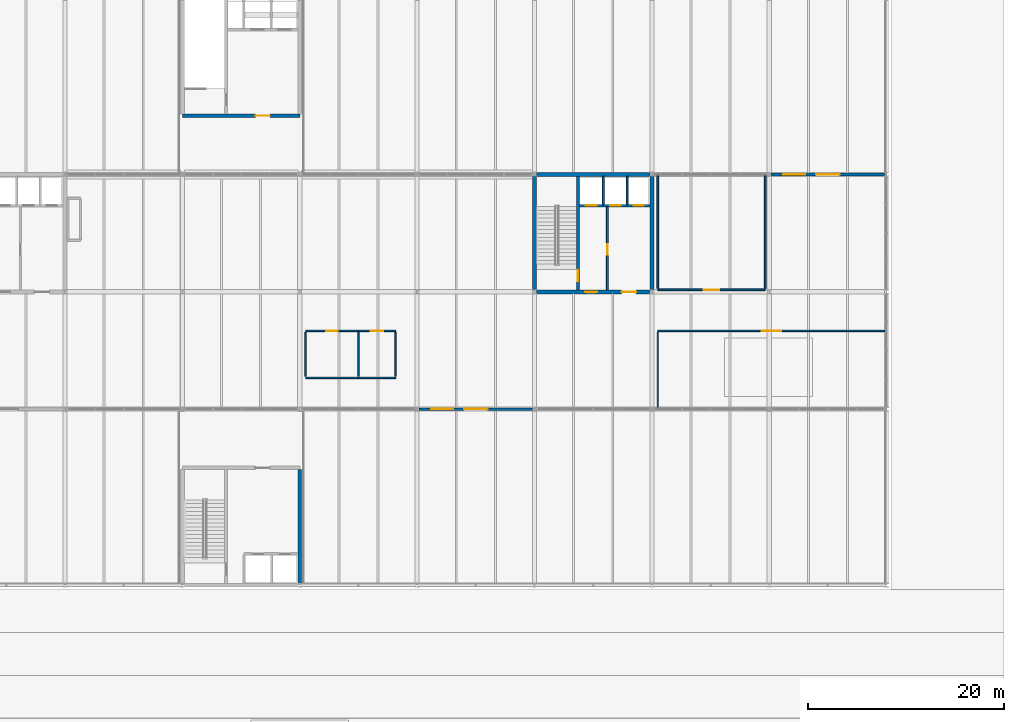
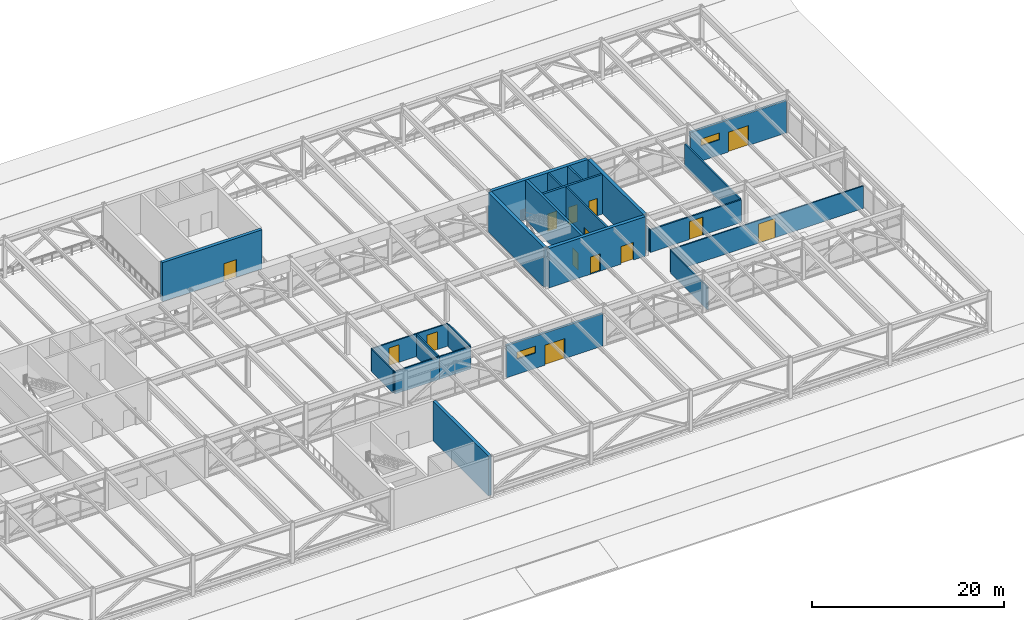
# One storey, part 36 of 42: 25 walls, 14 doors, 2 windows, 16 openings.
"""IFC4 building model written with IfcOpenShell, lengths in metres."""

from ifc_helpers import new_model, si_unit, direction, frame, frame_2d, origin, place, context, subcontext, project, spatial, rectangle, extrude, material, layer, layer_set, type_object, element, fill, save


model = new_model("IFC4")

# Units and contexts
model_context = context("Model", 3, precision=1e-05, world=origin(), true_north=direction((0.0, 1.0)))
body_context = subcontext(model_context, "Body", "Model", "MODEL_VIEW")
ifc_project = project(units=[si_unit("LENGTHUNIT", "METRE"), si_unit("AREAUNIT", "SQUARE_METRE"), si_unit("VOLUMEUNIT", "CUBIC_METRE"), si_unit("PLANEANGLEUNIT", "RADIAN"), si_unit("MASSUNIT", "GRAM", prefix="KILO")], contexts=[model_context])

# Site, building, storey
site_placement = place(None, origin())
site = spatial("IfcSite", under=ifc_project, at=site_placement, CompositionType="ELEMENT")
building_placement = place(site_placement, origin())
building = spatial("IfcBuilding", under=site, at=building_placement, Name="Girod Span Mobility Hub", CompositionType="ELEMENT")
storey_placement = place(building_placement, frame((0.0, 0.0, 32.39990234375)))
storey = spatial("IfcBuildingStorey", under=building, at=storey_placement, Name="L08", CompositionType="ELEMENT", Elevation=32.39990234375)

# Wall
ifc_material_1 = material(Name="Concrete C40/50", Category="concrete")
ifc_layer_1 = layer(ifc_material_1, 0.3798828125)
ifc_layer_set_1 = layer_set([ifc_layer_1], Name="Concrete C40/50")
wall_type_1 = type_object("IfcWallType", Name="W-CW-380", PredefinedType="SHEAR", material=ifc_layer_set_1)
wall_1_placement = place(storey_placement, frame((84.0, 27.193603515625, 0.0), z_axis=(0.0, 0.0, 1.0), x_axis=(0.0, 1.0, 0.0)))
element("IfcWall", 1, at=wall_1_placement, inside=storey, type_object=wall_type_1, Name="Core C3 Shear Wall E L08", PredefinedType="SHEAR", context=body_context, shape_type="SweptSolid", body=[
    extrude(rectangle(XDim=11.619384765625, YDim=0.3798828125, at=frame_2d((5.8095703125, 0.0))), origin(), (0.0, 0.0, 1.0), 5.043212890625),
])

# Wall, opening, door
wall_2_placement = place(storey_placement, frame((72.0, 75.0, 0.0), z_axis=(0.0, 0.0, 1.0), x_axis=(1.0, 0.0, 0.0)))
wall_2 = element("IfcWall", 2, at=wall_2_placement, inside=storey, type_object=wall_type_1, Name="Core C4 Shear Wall S L08", PredefinedType="SHEAR", context=body_context, shape_type="SweptSolid", body=[
    extrude(rectangle(XDim=12.0, YDim=0.3798828125, at=frame_2d((6.0, 0.0))), origin(), (0.0, 0.0, 1.0), 4.97314453125),
])
opening_1_placement = place(wall_2_placement, frame((7.449951171875, 0.0, 0.0)))
opening_1 = element("IfcOpeningElement", 3, at=opening_1_placement, cuts=wall_2, Name="Opening D-LB-C4-L08", PredefinedType="OPENING", context=body_context, shape_type="SweptSolid", body=[
    extrude(rectangle(XDim=1.5, YDim=2.25, at=frame_2d((0.75, 1.125))), frame((0.0, 0.204833984375, 0.0), z_axis=(0.0, -1.0, 0.0), x_axis=(1.0, 0.0, 0.0)), (0.0, 0.0, 1.0), 0.409912109375),
])
ifc_material_2 = material(Name="Fire-Rated Insulated Hollow Metal Steel", Category="steel")
door_type_1 = type_object("IfcDoorType", Name="DT-FD-03", OperationType="DOUBLE_DOOR_SINGLE_SWING", PredefinedType="DOOR", material=ifc_material_2)
door_1_placement = place(opening_1_placement, origin())
door_1 = element("IfcDoor", 4, at=door_1_placement, inside=storey, type_object=door_type_1, Name="Core C4 Cargo Lift Lobby Door L08", OperationType="DOUBLE_DOOR_SINGLE_SWING", OverallHeight=2.25, OverallWidth=1.5, PredefinedType="DOOR", context=body_context, shape_type="SweptSolid", body=[
    extrude(rectangle(XDim=1.5, YDim=2.25, at=frame_2d((0.75, 1.125))), frame((0.0, 0.02490234375, 0.0), z_axis=(0.0, -1.0, 0.0), x_axis=(1.0, 0.0, 0.0)), (0.0, 0.0, 1.0), 0.050048828125),
])
fill(opening_1, door_1)

# Wall, openings, doors
ifc_material_3 = material(Name="Concrete C40/50", Category="concrete")
ifc_layer_2 = layer(ifc_material_3, 0.39990234375)
ifc_layer_set_2 = layer_set([ifc_layer_2], Name="Concrete C40/50")
wall_type_2 = type_object("IfcWallType", Name="W-CW-400", PredefinedType="SHEAR", material=ifc_layer_set_2)
wall_3_placement = place(storey_placement, frame((108.199951171875, 57.0, 0.0), z_axis=(0.0, 0.0, 1.0), x_axis=(1.0, 0.0, 0.0)))
wall_3 = element("IfcWall", 5, at=wall_3_placement, inside=storey, type_object=wall_type_2, Name="Core C2 Shear Wall S L08", PredefinedType="SHEAR", context=body_context, shape_type="SweptSolid", body=[
    extrude(rectangle(XDim=11.60009765625, YDim=0.39990234375, at=frame_2d((5.800048828125, 0.0))), origin(), (0.0, 0.0, 1.0), 5.043212890625),
])
opening_2_placement = place(wall_3_placement, frame((5.0, 0.0, 0.0)))
opening_2 = element("IfcOpeningElement", 6, at=opening_2_placement, cuts=wall_3, Name="Opening D-FL-C2-L08", PredefinedType="OPENING", context=body_context, shape_type="SweptSolid", body=[
    extrude(rectangle(XDim=1.199951171875, YDim=2.199951171875, at=frame_2d((0.60009765625, 1.10009765625))), frame((0.0, 0.21484375, 0.0), z_axis=(0.0, -1.0, 0.0), x_axis=(1.0, 0.0, 0.0)), (0.0, 0.0, 1.0), 0.429931640625),
])
opening_3_placement = place(wall_3_placement, frame((8.699951171875, 0.0, 0.0)))
opening_3 = element("IfcOpeningElement", 7, at=opening_3_placement, cuts=wall_3, Name="Opening D-LB-C2-L08", PredefinedType="OPENING", context=body_context, shape_type="SweptSolid", body=[
    extrude(rectangle(XDim=1.5, YDim=2.25, at=frame_2d((0.75, 1.125))), frame((0.0, 0.21484375, 0.0), z_axis=(0.0, -1.0, 0.0), x_axis=(1.0, 0.0, 0.0)), (0.0, 0.0, 1.0), 0.429931640625),
])
door_2_placement = place(opening_3_placement, origin())
door_2 = element("IfcDoor", 8, at=door_2_placement, inside=storey, type_object=door_type_1, Name="Lift Lobby Entry Door C2 L08", OperationType="DOUBLE_DOOR_SINGLE_SWING", OverallHeight=2.25, OverallWidth=1.5, PredefinedType="DOOR", context=body_context, shape_type="SweptSolid", body=[
    extrude(rectangle(XDim=1.5, YDim=2.25, at=frame_2d((0.75, 1.125))), frame((0.0, 0.02490234375, 0.0), z_axis=(0.0, -1.0, 0.0), x_axis=(1.0, 0.0, 0.0)), (0.0, 0.0, 1.0), 0.050048828125),
])
fill(opening_3, door_2)
ifc_material_4 = material(Name="Fire-Rated Insulated Hollow Metal Steel", Category="steel")
door_type_2 = type_object("IfcDoorType", Name="DT-FD-05", OperationType="NOTDEFINED", PredefinedType="DOOR", material=ifc_material_4)
door_3_placement = place(opening_2_placement, origin())
door_3 = element("IfcDoor", 9, at=door_3_placement, inside=storey, type_object=door_type_2, Name="Firefighting Lobby Entry Door C2 L08", OperationType="SINGLE_SWING_RIGHT", OverallHeight=2.199951171875, OverallWidth=1.199951171875, PredefinedType="DOOR", context=body_context, shape_type="SweptSolid", body=[
    extrude(rectangle(XDim=1.199951171875, YDim=2.199951171875, at=frame_2d((0.60009765625, 1.10009765625))), frame((0.0, 0.02490234375, 0.0), z_axis=(0.0, -1.0, 0.0), x_axis=(1.0, 0.0, 0.0)), (0.0, 0.0, 1.0), 0.050048828125),
])
fill(opening_2, door_3)

# Walls
wall_4_placement = place(storey_placement, frame((108.199951171875, 69.0, 0.0), z_axis=(0.0, 0.0, 1.0), x_axis=(1.0, 0.0, 0.0)))
element("IfcWall", 10, at=wall_4_placement, inside=storey, type_object=wall_type_2, Name="Core C2 Shear Wall N L08", PredefinedType="SHEAR", context=body_context, shape_type="SweptSolid", body=[
    extrude(rectangle(XDim=11.60009765625, YDim=0.39990234375, at=frame_2d((5.800048828125, 0.0))), origin(), (0.0, 0.0, 1.0), 5.043212890625),
])
for number, where, z_axis, x_axis, name in (
    (11, (108.0, 57.205078125, 0.0), (0.0, 0.0, 1.0), (0.0, 1.0, 0.0), "Core C2 Shear Wall W L08"),
    (12, (120.0, 57.205078125, 0.0), (0.0, 0.0, 1.0), (0.0, 1.0, 0.0), "Core C2 Shear Wall E L08"),
):
    element("IfcWall", number, at=place(storey_placement, frame(where, z_axis=z_axis, x_axis=x_axis)), inside=storey, type_object=wall_type_2, Name=name, PredefinedType="SHEAR", context=body_context, shape_type="SweptSolid", body=[
        extrude(rectangle(XDim=11.58984375, YDim=0.39990234375, at=frame_2d((5.794921875, 0.0))), origin(), (0.0, 0.0, 1.0), 5.043212890625),
    ])

# Wall, openings, door, window
ifc_material_5 = material(Name="Precast Architectural Concrete C40/50", Category="concrete")
ifc_layer_3 = layer(ifc_material_5, 0.2900390625)
ifc_layer_set_3 = layer_set([ifc_layer_3], Name="Precast Architectural Concrete C40/50")
wall_type_3 = type_object("IfcWallType", Name="W-EXT-290", PredefinedType="SOLIDWALL", material=ifc_layer_set_3)
wall_5_placement = place(storey_placement, frame((96.200927734375, 45.0, 0.0), z_axis=(0.0, 0.0, 1.0), x_axis=(1.0, 0.0, 0.0)))
wall_5 = element("IfcWall", 13, at=wall_5_placement, inside=storey, type_object=wall_type_3, Name="L08 Sports Court Portal Wall S-9", PredefinedType="SOLIDWALL", context=body_context, shape_type="SweptSolid", body=[
    extrude(rectangle(XDim=11.59814453125, YDim=0.2900390625, at=frame_2d((5.799072265625, 0.0))), origin(), (0.0, 0.0, 1.0), 4.10009765625),
])
opening_4_placement = place(wall_5_placement, frame((4.59912109375, 0.0, 0.0)))
opening_4 = element("IfcOpeningElement", 14, at=opening_4_placement, cuts=wall_5, Name="Opening D-L08-S8", PredefinedType="OPENING", context=body_context, shape_type="SweptSolid", body=[
    extrude(rectangle(XDim=2.39990234375, YDim=2.5400390625, at=frame_2d((1.199951171875, 1.27001953125))), frame((0.0, 0.159912109375, 0.0), z_axis=(0.0, -1.0, 0.0), x_axis=(1.0, 0.0, 0.0)), (0.0, 0.0, 1.0), 0.320068359375),
])
opening_5_placement = place(wall_5_placement, frame((1.25, 0.0, 1.949951171875)))
opening_5 = element("IfcOpeningElement", 15, at=opening_5_placement, cuts=wall_5, Name="Opening W-L08-S8", PredefinedType="OPENING", context=body_context, shape_type="SweptSolid", body=[
    extrude(rectangle(XDim=2.25, YDim=0.8798828125, at=frame_2d((1.125, 0.43994140625))), frame((0.0, 0.159912109375, 0.0), z_axis=(0.0, -1.0, 0.0), x_axis=(1.0, 0.0, 0.0)), (0.0, 0.0, 1.0), 0.320068359375),
])
ifc_material_6 = material(Name="Thermally Broken Anodised Aluminium", Category="aluminium")
door_type_3 = type_object("IfcDoorType", Name="DR-EXT-05", OperationType="DOUBLE_DOOR_SINGLE_SWING", PredefinedType="DOOR", material=ifc_material_6)
door_4_placement = place(opening_4_placement, origin())
door_4 = element("IfcDoor", 16, at=door_4_placement, inside=storey, type_object=door_type_3, Name="L08 S Rooftop Sports Court Access Door 8", OperationType="DOUBLE_DOOR_SINGLE_SWING", OverallHeight=2.5400390625, OverallWidth=2.39990234375, PredefinedType="DOOR", context=body_context, shape_type="SweptSolid", body=[
    extrude(rectangle(XDim=2.39990234375, YDim=2.5400390625, at=frame_2d((1.199951171875, 1.27001953125))), frame((0.0, 0.02490234375, 0.0), z_axis=(0.0, -1.0, 0.0), x_axis=(1.0, 0.0, 0.0)), (0.0, 0.0, 1.0), 0.050048828125),
])
fill(opening_4, door_4)
ifc_material_7 = material(Name="Double Low-E Insulated Glazing", Category="glass")
window_type = type_object("IfcWindowType", Name="WN-45", PartitioningType="DOUBLE_PANEL_VERTICAL", PredefinedType="USERDEFINED", material=ifc_material_7)
window_1_placement = place(opening_5_placement, origin())
window_1 = element("IfcWindow", 17, at=window_1_placement, inside=storey, type_object=window_type, Name="L08 Sports Clubroom Transom Light", ObjectType="TRANSOM LIGHT", OverallHeight=0.8798828125, OverallWidth=2.25, PartitioningType="DOUBLE_PANEL_VERTICAL", PredefinedType="USERDEFINED", context=body_context, shape_type="SweptSolid", body=[
    extrude(rectangle(XDim=2.25, YDim=0.8798828125, at=frame_2d((1.125, 0.43994140625))), frame((0.0, 0.030029296875, 0.0), z_axis=(0.0, -1.0, 0.0), x_axis=(1.0, 0.0, 0.0)), (0.0, 0.0, 1.0), 0.06005859375),
])
fill(opening_5, window_1)

wall_6_placement = place(storey_placement, frame((132.197509765625, 69.0, 0.0), z_axis=(0.0, 0.0, 1.0), x_axis=(1.0, 0.0, 0.0)))
wall_6 = element("IfcWall", 18, at=wall_6_placement, inside=storey, type_object=wall_type_3, Name="L08 Sports Court Portal Wall N-12", PredefinedType="SOLIDWALL", context=body_context, shape_type="SweptSolid", body=[
    extrude(rectangle(XDim=11.60498046875, YDim=0.2900390625, at=frame_2d((5.802490234375, 0.0))), origin(), (0.0, 0.0, 1.0), 4.10009765625),
])
opening_6_placement = place(wall_6_placement, frame((4.60302734375, 0.0, 0.0)))
opening_6 = element("IfcOpeningElement", 19, at=opening_6_placement, cuts=wall_6, Name="Opening D-L08-N11", PredefinedType="OPENING", context=body_context, shape_type="SweptSolid", body=[
    extrude(rectangle(XDim=2.39990234375, YDim=2.5400390625, at=frame_2d((1.199951171875, 1.27001953125))), frame((0.0, 0.159912109375, 0.0), z_axis=(0.0, -1.0, 0.0), x_axis=(1.0, 0.0, 0.0)), (0.0, 0.0, 1.0), 0.320068359375),
])
opening_7_placement = place(wall_6_placement, frame((1.25, 0.0, 1.949951171875)))
opening_7 = element("IfcOpeningElement", 20, at=opening_7_placement, cuts=wall_6, Name="Opening W-L08-N11", PredefinedType="OPENING", context=body_context, shape_type="SweptSolid", body=[
    extrude(rectangle(XDim=2.25, YDim=0.8798828125, at=frame_2d((1.125, 0.43994140625))), frame((0.0, 0.159912109375, 0.0), z_axis=(0.0, -1.0, 0.0), x_axis=(1.0, 0.0, 0.0)), (0.0, 0.0, 1.0), 0.320068359375),
])
door_5_placement = place(opening_6_placement, origin())
door_5 = element("IfcDoor", 21, at=door_5_placement, inside=storey, type_object=door_type_3, Name="L08 N Rooftop Sports Court Access Door 11", OperationType="DOUBLE_DOOR_SINGLE_SWING", OverallHeight=2.5400390625, OverallWidth=2.39990234375, PredefinedType="DOOR", context=body_context, shape_type="SweptSolid", body=[
    extrude(rectangle(XDim=2.39990234375, YDim=2.5400390625, at=frame_2d((1.199951171875, 1.27001953125))), frame((0.0, 0.02490234375, 0.0), z_axis=(0.0, -1.0, 0.0), x_axis=(1.0, 0.0, 0.0)), (0.0, 0.0, 1.0), 0.050048828125),
])
fill(opening_6, door_5)
window_2_placement = place(opening_7_placement, origin())
window_2 = element("IfcWindow", 22, at=window_2_placement, inside=storey, type_object=window_type, Name="L08 Sports Clubroom Transom Light", ObjectType="TRANSOM LIGHT", OverallHeight=0.8798828125, OverallWidth=2.25, PartitioningType="DOUBLE_PANEL_VERTICAL", PredefinedType="USERDEFINED", context=body_context, shape_type="SweptSolid", body=[
    extrude(rectangle(XDim=2.25, YDim=0.8798828125, at=frame_2d((1.125, 0.43994140625))), frame((0.0, 0.030029296875, 0.0), z_axis=(0.0, -1.0, 0.0), x_axis=(1.0, 0.0, 0.0)), (0.0, 0.0, 1.0), 0.06005859375),
])
fill(opening_7, window_2)

# Wall, opening, door
ifc_material_8 = material(Name="Concrete C40/50", Category="concrete")
ifc_layer_4 = layer(ifc_material_8, 0.18994140625)
ifc_layer_set_4 = layer_set([ifc_layer_4], Name="Concrete C40/50")
wall_type_4 = type_object("IfcWallType", Name="W-FL-190", PredefinedType="SOLIDWALL", material=ifc_layer_set_4)
wall_7_placement = place(storey_placement, frame((115.449951171875, 57.199951171875, 0.0), z_axis=(0.0, 0.0, 1.0), x_axis=(0.0, 1.0, 0.0)))
wall_7 = element("IfcWall", 23, at=wall_7_placement, inside=storey, type_object=wall_type_4, Name="Core C2 Firefighting Lobby Wall L08", PredefinedType="SOLIDWALL", context=body_context, shape_type="SweptSolid", body=[
    extrude(rectangle(XDim=8.47998046875, YDim=0.18994140625, at=frame_2d((4.239990234375, 0.0))), origin(), (0.0, 0.0, 1.0), 5.033203125),
])
opening_8_placement = place(wall_7_placement, frame((3.60009765625, 0.0, 0.0)))
opening_8 = element("IfcOpeningElement", 24, at=opening_8_placement, cuts=wall_7, Name="Opening D-FLX-C2-L08", PredefinedType="OPENING", context=body_context, shape_type="SweptSolid", body=[
    extrude(rectangle(XDim=1.0400390625, YDim=2.179931640625, at=frame_2d((0.52001953125, 1.08984375))), frame((0.0, 0.10986328125, 0.0), z_axis=(0.0, -1.0, 0.0), x_axis=(1.0, 0.0, 0.0)), (0.0, 0.0, 1.0), 0.219970703125),
])
ifc_material_9 = material(Name="Fire-Rated Insulated Hollow Metal Steel", Category="steel")
door_type_4 = type_object("IfcDoorType", Name="DT-FD-02", OperationType="NOTDEFINED", PredefinedType="DOOR", material=ifc_material_9)
door_6_placement = place(opening_8_placement, origin())
door_6 = element("IfcDoor", 25, at=door_6_placement, inside=storey, type_object=door_type_4, Name="Firefighting Lobby Interconnect Door C2 L08", OperationType="SINGLE_SWING_RIGHT", OverallHeight=2.179931640625, OverallWidth=1.0400390625, PredefinedType="DOOR", context=body_context, shape_type="SweptSolid", body=[
    extrude(rectangle(XDim=1.0400390625, YDim=2.179931640625, at=frame_2d((0.52001953125, 1.08984375))), frame((0.0, 0.02490234375, 0.0), z_axis=(0.0, -1.0, 0.0), x_axis=(1.0, 0.0, 0.0)), (0.0, 0.0, 1.0), 0.050048828125),
])
fill(opening_8, door_6)

ifc_material_10 = material(Name="Reinforced Concrete Masonry Block", Category="masonry")
ifc_layer_5 = layer(ifc_material_10, 0.179931640625)
ifc_layer_set_5 = layer_set([ifc_layer_5], Name="Reinforced Concrete Masonry Block")
wall_type_5 = type_object("IfcWallType", Name="W-FP-180", PredefinedType="SOLIDWALL", material=ifc_layer_set_5)
wall_8_placement = place(storey_placement, frame((120.60009765625, 57.199951171875, 0.0), z_axis=(0.0, 0.0, 1.0), x_axis=(1.0, 0.0, 0.0)))
wall_8 = element("IfcWall", 26, at=wall_8_placement, inside=storey, type_object=wall_type_5, Name="Mechanical Plant Transfer AHU Partition S", PredefinedType="SOLIDWALL", context=body_context, shape_type="SweptSolid", body=[
    extrude(rectangle(XDim=11.0, YDim=0.179931640625, at=frame_2d((5.5, 0.0))), origin(), (0.0, 0.0, 1.0), 2.880126953125),
])
opening_9_placement = place(wall_8_placement, frame((4.68994140625, 0.0, 0.0)))
opening_9 = element("IfcOpeningElement", 27, at=opening_9_placement, cuts=wall_8, Name="Opening D-L08-PLANT-08", PredefinedType="OPENING", context=body_context, shape_type="SweptSolid", body=[
    extrude(rectangle(XDim=1.6201171875, YDim=2.300048828125, at=frame_2d((0.81005859375, 1.14990234375))), frame((0.0, 0.10498046875, 0.0), z_axis=(0.0, -1.0, 0.0), x_axis=(1.0, 0.0, 0.0)), (0.0, 0.0, 1.0), 0.2099609375),
])
ifc_material_11 = material(Name="Fire-Rated Insulated Hollow Metal Steel", Category="steel")
door_type_5 = type_object("IfcDoorType", Name="DT-FD-09", OperationType="DOUBLE_DOOR_SINGLE_SWING", PredefinedType="DOOR", material=ifc_material_11)
door_7_placement = place(opening_9_placement, origin())
door_7 = element("IfcDoor", 28, at=door_7_placement, inside=storey, type_object=door_type_5, Name="Mechanical Plant Transfer AHU Door", OperationType="DOUBLE_DOOR_SINGLE_SWING", OverallHeight=2.300048828125, OverallWidth=1.6201171875, PredefinedType="DOOR", context=body_context, shape_type="SweptSolid", body=[
    extrude(rectangle(XDim=1.6201171875, YDim=2.300048828125, at=frame_2d((0.81005859375, 1.14990234375))), frame((0.0, 0.02490234375, 0.0), z_axis=(0.0, -1.0, 0.0), x_axis=(1.0, 0.0, 0.0)), (0.0, 0.0, 1.0), 0.050048828125),
])
fill(opening_9, door_7)

# Walls
for number, where, z_axis, x_axis, name in (
    (29, (120.60009765625, 57.360107421875, 0.0), (0.0, 0.0, 1.0), (0.0, 1.0, 0.0), "Mechanical Plant Transfer AHU Partition W"),
    (30, (131.60009765625, 57.360107421875, 0.0), (0.0, 0.0, 1.0), (0.0, 1.0, 0.0), "Mechanical Plant Transfer AHU Partition E"),
):
    element("IfcWall", number, at=place(storey_placement, frame(where, z_axis=z_axis, x_axis=x_axis)), inside=storey, type_object=wall_type_5, Name=name, PredefinedType="SOLIDWALL", context=body_context, shape_type="SweptSolid", body=[
        extrude(rectangle(XDim=11.5, YDim=0.179931640625, at=frame_2d((5.75, 0.0))), origin(), (0.0, 0.0, 1.0), 2.880126953125),
    ])
ifc_material_12 = material(Name="Fire-Rated Gypsum Board on Metal Studs", Category="gypsum")
ifc_layer_6 = layer(ifc_material_12, 0.155029296875)
ifc_layer_set_6 = layer_set([ifc_layer_6], Name="Fire-Rated Gypsum Board on Metal Studs")
wall_type_6 = type_object("IfcWallType", Name="W-PLB-155", PredefinedType="PLUMBINGWALL", material=ifc_layer_set_6)
wall_9_placement = place(storey_placement, frame((84.60009765625, 48.199951171875, 0.0), z_axis=(0.0, 0.0, 1.0), x_axis=(1.0, 0.0, 0.0)))
element("IfcWall", 31, at=wall_9_placement, inside=storey, type_object=wall_type_6, Name="Restroom L08 Partition S", PredefinedType="PLUMBINGWALL", context=body_context, shape_type="SweptSolid", body=[
    extrude(rectangle(XDim=5.39990234375, YDim=0.155029296875, at=frame_2d((2.699951171875, 0.0))), origin(), (0.0, 0.0, 1.0), 2.880126953125),
])

# Wall, opening, door
wall_10_placement = place(storey_placement, frame((84.60009765625, 53.0, 0.0), z_axis=(0.0, 0.0, 1.0), x_axis=(1.0, 0.0, 0.0)))
wall_10 = element("IfcWall", 32, at=wall_10_placement, inside=storey, type_object=wall_type_6, Name="Restroom L08 Partition N", PredefinedType="PLUMBINGWALL", context=body_context, shape_type="SweptSolid", body=[
    extrude(rectangle(XDim=5.39990234375, YDim=0.155029296875, at=frame_2d((2.699951171875, 0.0))), origin(), (0.0, 0.0, 1.0), 2.880126953125),
])
opening_10_placement = place(wall_10_placement, frame((2.094970703125, 0.0, 0.0)))
opening_10 = element("IfcOpeningElement", 33, at=opening_10_placement, cuts=wall_10, Name="Opening D-L08-WC-MAIN", PredefinedType="OPENING", context=body_context, shape_type="SweptSolid", body=[
    extrude(rectangle(XDim=1.2099609375, YDim=2.25, at=frame_2d((0.60498046875, 1.125))), frame((0.0, 0.092529296875, 0.0), z_axis=(0.0, -1.0, 0.0), x_axis=(1.0, 0.0, 0.0)), (0.0, 0.0, 1.0), 0.18505859375),
])
ifc_material_13 = material(Name="Solid-Core Architectural Timber", Category="wood")
door_type_6 = type_object("IfcDoorType", Name="DT-NR-08", OperationType="NOTDEFINED", PredefinedType="DOOR", material=ifc_material_13)
door_8_placement = place(opening_10_placement, origin())
door_8 = element("IfcDoor", 34, at=door_8_placement, inside=storey, type_object=door_type_6, Name="Restroom L08 Door", OperationType="SINGLE_SWING_RIGHT", OverallHeight=2.25, OverallWidth=1.2099609375, PredefinedType="DOOR", context=body_context, shape_type="SweptSolid", body=[
    extrude(rectangle(XDim=1.2099609375, YDim=2.25, at=frame_2d((0.60498046875, 1.125))), frame((0.0, 0.02490234375, 0.0), z_axis=(0.0, -1.0, 0.0), x_axis=(1.0, 0.0, 0.0)), (0.0, 0.0, 1.0), 0.050048828125),
])
fill(opening_10, door_8)

# Walls
for number, where, z_axis, x_axis, name in (
    (35, (84.60009765625, 48.360107421875, 0.0), (0.0, 0.0, 1.0), (0.0, 1.0, 0.0), "Restroom L08 Partition W"),
    (36, (90.0, 48.360107421875, 0.0), (0.0, 0.0, 1.0), (0.0, 1.0, 0.0), "Restroom L08 Partition E"),
):
    element("IfcWall", number, at=place(storey_placement, frame(where, z_axis=z_axis, x_axis=x_axis)), inside=storey, type_object=wall_type_6, Name=name, PredefinedType="PLUMBINGWALL", context=body_context, shape_type="SweptSolid", body=[
        extrude(rectangle(XDim=4.47998046875, YDim=0.155029296875, at=frame_2d((2.239990234375, 0.0))), origin(), (0.0, 0.0, 1.0), 2.880126953125),
    ])
wall_11_placement = place(storey_placement, frame((90.0, 48.199951171875, 0.0), z_axis=(0.0, 0.0, 1.0), x_axis=(1.0, 0.0, 0.0)))
element("IfcWall", 37, at=wall_11_placement, inside=storey, type_object=wall_type_6, Name="Accessible WC L08 Partition S", PredefinedType="PLUMBINGWALL", context=body_context, shape_type="SweptSolid", body=[
    extrude(rectangle(XDim=3.800048828125, YDim=0.155029296875, at=frame_2d((1.89990234375, 0.0))), origin(), (0.0, 0.0, 1.0), 2.880126953125),
])

# Wall, opening, door
wall_12_placement = place(storey_placement, frame((90.0, 53.0, 0.0), z_axis=(0.0, 0.0, 1.0), x_axis=(1.0, 0.0, 0.0)))
wall_12 = element("IfcWall", 38, at=wall_12_placement, inside=storey, type_object=wall_type_6, Name="Accessible WC L08 Partition N", PredefinedType="PLUMBINGWALL", context=body_context, shape_type="SweptSolid", body=[
    extrude(rectangle(XDim=3.800048828125, YDim=0.155029296875, at=frame_2d((1.89990234375, 0.0))), origin(), (0.0, 0.0, 1.0), 2.880126953125),
])
opening_11_placement = place(wall_12_placement, frame((1.264892578125, 0.0, 0.0)))
opening_11 = element("IfcOpeningElement", 39, at=opening_11_placement, cuts=wall_12, Name="Opening D-L08-WC-ACC", PredefinedType="OPENING", context=body_context, shape_type="SweptSolid", body=[
    extrude(rectangle(XDim=1.27001953125, YDim=2.27001953125, at=frame_2d((0.635009765625, 1.135009765625))), frame((0.0, 0.092529296875, 0.0), z_axis=(0.0, -1.0, 0.0), x_axis=(1.0, 0.0, 0.0)), (0.0, 0.0, 1.0), 0.18505859375),
])
ifc_material_14 = material(Name="Solid-Core Architectural Timber", Category="wood")
door_type_7 = type_object("IfcDoorType", Name="DT-NR-09", OperationType="NOTDEFINED", PredefinedType="DOOR", material=ifc_material_14)
door_9_placement = place(opening_11_placement, origin())
door_9 = element("IfcDoor", 40, at=door_9_placement, inside=storey, type_object=door_type_7, Name="Accessible WC L08 Door", OperationType="SINGLE_SWING_LEFT", OverallHeight=2.27001953125, OverallWidth=1.27001953125, PredefinedType="DOOR", context=body_context, shape_type="SweptSolid", body=[
    extrude(rectangle(XDim=1.27001953125, YDim=2.27001953125, at=frame_2d((0.635009765625, 1.135009765625))), frame((0.0, 0.02490234375, 0.0), z_axis=(0.0, -1.0, 0.0), x_axis=(1.0, 0.0, 0.0)), (0.0, 0.0, 1.0), 0.050048828125),
])
fill(opening_11, door_9)

# Wall
wall_13_placement = place(storey_placement, frame((93.800048828125, 48.360107421875, 0.0), z_axis=(0.0, 0.0, 1.0), x_axis=(0.0, 1.0, 0.0)))
element("IfcWall", 41, at=wall_13_placement, inside=storey, type_object=wall_type_6, Name="Accessible WC L08 Partition E", PredefinedType="PLUMBINGWALL", context=body_context, shape_type="SweptSolid", body=[
    extrude(rectangle(XDim=4.47998046875, YDim=0.155029296875, at=frame_2d((2.239990234375, 0.0))), origin(), (0.0, 0.0, 1.0), 2.880126953125),
])

# Wall, opening, door
ifc_material_15 = material(Name="Fire-Rated Gypsum Board on Metal Studs", Category="gypsum")
ifc_layer_7 = layer(ifc_material_15, 0.139892578125)
ifc_layer_set_7 = layer_set([ifc_layer_7], Name="Fire-Rated Gypsum Board on Metal Studs")
wall_type_7 = type_object("IfcWallType", Name="W-PT-140", PredefinedType="PARTITIONING", material=ifc_layer_set_7)
wall_14_placement = place(storey_placement, frame((120.60009765625, 53.0, 0.0), z_axis=(0.0, 0.0, 1.0), x_axis=(1.0, 0.0, 0.0)))
wall_14 = element("IfcWall", 42, at=wall_14_placement, inside=storey, type_object=wall_type_7, Name="Conference Room Sports Pavilion Partition N", PredefinedType="PARTITIONING", context=body_context, shape_type="SweptSolid", body=[
    extrude(rectangle(XDim=23.260009765625, YDim=0.139892578125, at=frame_2d((11.6298828125, 0.0))), origin(), (0.0, 0.0, 1.0), 2.880126953125),
])
opening_12_placement = place(wall_14_placement, frame((10.625, 0.0, 0.0)))
opening_12 = element("IfcOpeningElement", 43, at=opening_12_placement, cuts=wall_14, Name="Opening D-L08-CONF-08", PredefinedType="OPENING", context=body_context, shape_type="SweptSolid", body=[
    extrude(rectangle(XDim=2.010009765625, YDim=2.449951171875, at=frame_2d((1.0048828125, 1.22509765625))), frame((0.0, 0.0849609375, 0.0), z_axis=(0.0, -1.0, 0.0), x_axis=(1.0, 0.0, 0.0)), (0.0, 0.0, 1.0), 0.169921875),
])
ifc_material_16 = material(Name="Solid-Core Architectural Timber", Category="wood")
door_type_8 = type_object("IfcDoorType", Name="DT-NR-21", OperationType="DOUBLE_DOOR_SINGLE_SWING", PredefinedType="DOOR", material=ifc_material_16)
door_10_placement = place(opening_12_placement, origin())
door_10 = element("IfcDoor", 44, at=door_10_placement, inside=storey, type_object=door_type_8, Name="Conference Room Sports Pavilion Door", OperationType="DOUBLE_DOOR_SINGLE_SWING", OverallHeight=2.449951171875, OverallWidth=2.010009765625, PredefinedType="DOOR", context=body_context, shape_type="SweptSolid", body=[
    extrude(rectangle(XDim=2.010009765625, YDim=2.449951171875, at=frame_2d((1.0048828125, 1.22509765625))), frame((0.0, 0.02490234375, 0.0), z_axis=(0.0, -1.0, 0.0), x_axis=(1.0, 0.0, 0.0)), (0.0, 0.0, 1.0), 0.050048828125),
])
fill(opening_12, door_10)

# Walls
wall_15_placement = place(storey_placement, frame((120.60009765625, 45.139892578125, 0.0), z_axis=(0.0, 0.0, 1.0), x_axis=(0.0, 1.0, 0.0)))
element("IfcWall", 45, at=wall_15_placement, inside=storey, type_object=wall_type_7, Name="Conference Room Sports Pavilion Partition W", PredefinedType="PARTITIONING", context=body_context, shape_type="SweptSolid", body=[
    extrude(rectangle(XDim=7.7001953125, YDim=0.139892578125, at=frame_2d((3.85009765625, 0.0))), origin(), (0.0, 0.0, 1.0), 2.880126953125),
])
ifc_material_17 = material(Name="Concrete C40/50", Category="concrete")
ifc_layer_8 = layer(ifc_material_17, 0.199951171875)
ifc_layer_set_8 = layer_set([ifc_layer_8], Name="Concrete C40/50")
wall_type_8 = type_object("IfcWallType", Name="W-SH-200", PredefinedType="SOLIDWALL", material=ifc_layer_set_8)
for number, where, z_axis, x_axis, name in (
    (46, (115.050048828125, 65.919921875, 0.0), (0.0, 0.0, 1.0), (0.0, 1.0, 0.0), "Core C2 Shaft Divider 1 L08"),
    (47, (117.47998046875, 65.919921875, 0.0), (0.0, 0.0, 1.0), (0.0, 1.0, 0.0), "Core C2 Shaft Divider 2 L08"),
):
    element("IfcWall", number, at=place(storey_placement, frame(where, z_axis=z_axis, x_axis=x_axis)), inside=storey, type_object=wall_type_8, Name=name, PredefinedType="SOLIDWALL", context=body_context, shape_type="SweptSolid", body=[
        extrude(rectangle(XDim=2.880126953125, YDim=0.199951171875, at=frame_2d((1.43994140625, 0.0))), origin(), (0.0, 0.0, 1.0), 5.033203125),
    ])

# Wall, openings, doors
ifc_material_18 = material(Name="Concrete C40/50", Category="concrete")
ifc_layer_9 = layer(ifc_material_18, 0.25)
ifc_layer_set_9 = layer_set([ifc_layer_9], Name="Concrete C40/50")
wall_type_9 = type_object("IfcWallType", Name="W-SH-250", PredefinedType="SOLIDWALL", material=ifc_layer_set_9)
wall_16_placement = place(storey_placement, frame((112.596923828125, 65.800048828125, 0.0), z_axis=(0.0, 0.0, 1.0), x_axis=(1.0, 0.0, 0.0)))
wall_16 = element("IfcWall", 48, at=wall_16_placement, inside=storey, type_object=wall_type_9, Name="Core C2 Hoistway Front Wall L08", PredefinedType="SOLIDWALL", context=body_context, shape_type="SweptSolid", body=[
    extrude(rectangle(XDim=7.2060546875, YDim=0.25, at=frame_2d((3.60302734375, 0.0))), origin(), (0.0, 0.0, 1.0), 5.043212890625),
])
opening_13_placement = place(wall_16_placement, frame((0.653076171875, 0.0, 0.0)))
opening_13 = element("IfcOpeningElement", 49, at=opening_13_placement, cuts=wall_16, Name="Opening LD-FL-2-L08", PredefinedType="OPENING", context=body_context, shape_type="SweptSolid", body=[
    extrude(rectangle(XDim=1.10009765625, YDim=2.239990234375, at=frame_2d((0.550048828125, 1.1201171875))), frame((0.0, 0.139892578125, 0.0), z_axis=(0.0, -1.0, 0.0), x_axis=(1.0, 0.0, 0.0)), (0.0, 0.0, 1.0), 0.280029296875),
])
opening_14_placement = place(wall_16_placement, frame((3.153076171875, 0.0, 0.0)))
opening_14 = element("IfcOpeningElement", 50, at=opening_14_placement, cuts=wall_16, Name="Opening LD-LP-3-L08", PredefinedType="OPENING", context=body_context, shape_type="SweptSolid", body=[
    extrude(rectangle(XDim=1.050048828125, YDim=2.199951171875, at=frame_2d((0.52490234375, 1.10009765625))), frame((0.0, 0.139892578125, 0.0), z_axis=(0.0, -1.0, 0.0), x_axis=(1.0, 0.0, 0.0)), (0.0, 0.0, 1.0), 0.280029296875),
])
opening_15_placement = place(wall_16_placement, frame((5.528076171875, 0.0, 0.0)))
opening_15 = element("IfcOpeningElement", 51, at=opening_15_placement, cuts=wall_16, Name="Opening LD-LP-4-L08", PredefinedType="OPENING", context=body_context, shape_type="SweptSolid", body=[
    extrude(rectangle(XDim=1.050048828125, YDim=2.199951171875, at=frame_2d((0.52490234375, 1.10009765625))), frame((0.0, 0.139892578125, 0.0), z_axis=(0.0, -1.0, 0.0), x_axis=(1.0, 0.0, 0.0)), (0.0, 0.0, 1.0), 0.280029296875),
])
ifc_material_19 = material(Name="Brushed Stainless Steel Grade 304", Category="steel")
door_type_9 = type_object("IfcDoorType", Name="LD-FL-110", OperationType="SLIDING_TO_LEFT", PredefinedType="USERDEFINED", material=ifc_material_19)
door_11_placement = place(opening_13_placement, origin())
door_11 = element("IfcDoor", 52, at=door_11_placement, inside=storey, type_object=door_type_9, Name="Lift FL-2 Sliding Landing Door L08", ObjectType="LANDING DOOR", OperationType="SLIDING_TO_LEFT", OverallHeight=2.239990234375, OverallWidth=1.10009765625, PredefinedType="USERDEFINED", context=body_context, shape_type="SweptSolid", body=[
    extrude(rectangle(XDim=1.10009765625, YDim=2.239990234375, at=frame_2d((0.550048828125, 1.1201171875))), frame((0.0, 0.02490234375, 0.0), z_axis=(0.0, -1.0, 0.0), x_axis=(1.0, 0.0, 0.0)), (0.0, 0.0, 1.0), 0.050048828125),
])
fill(opening_13, door_11)
ifc_material_20 = material(Name="Brushed Stainless Steel Grade 304", Category="steel")
door_type_10 = type_object("IfcDoorType", Name="LD-LP-105", OperationType="SLIDING_TO_LEFT", PredefinedType="USERDEFINED", material=ifc_material_20)
door_12_placement = place(opening_14_placement, origin())
door_12 = element("IfcDoor", 53, at=door_12_placement, inside=storey, type_object=door_type_10, Name="Lift LP-3 Sliding Landing Door L08", ObjectType="LANDING DOOR", OperationType="SLIDING_TO_LEFT", OverallHeight=2.199951171875, OverallWidth=1.050048828125, PredefinedType="USERDEFINED", context=body_context, shape_type="SweptSolid", body=[
    extrude(rectangle(XDim=1.050048828125, YDim=2.199951171875, at=frame_2d((0.52490234375, 1.10009765625))), frame((0.0, 0.02490234375, 0.0), z_axis=(0.0, -1.0, 0.0), x_axis=(1.0, 0.0, 0.0)), (0.0, 0.0, 1.0), 0.050048828125),
])
fill(opening_14, door_12)
door_13_placement = place(opening_15_placement, origin())
door_13 = element("IfcDoor", 54, at=door_13_placement, inside=storey, type_object=door_type_10, Name="Lift LP-4 Sliding Landing Door L08", ObjectType="LANDING DOOR", OperationType="SLIDING_TO_LEFT", OverallHeight=2.199951171875, OverallWidth=1.050048828125, PredefinedType="USERDEFINED", context=body_context, shape_type="SweptSolid", body=[
    extrude(rectangle(XDim=1.050048828125, YDim=2.199951171875, at=frame_2d((0.52490234375, 1.10009765625))), frame((0.0, 0.02490234375, 0.0), z_axis=(0.0, -1.0, 0.0), x_axis=(1.0, 0.0, 0.0)), (0.0, 0.0, 1.0), 0.050048828125),
])
fill(opening_15, door_13)

# Wall, opening, door
ifc_material_21 = material(Name="Concrete C40/50", Category="concrete")
ifc_layer_10 = layer(ifc_material_21, 0.300048828125)
ifc_layer_set_10 = layer_set([ifc_layer_10], Name="Concrete C40/50")
wall_type_10 = type_object("IfcWallType", Name="W-SH-300", PredefinedType="SHEAR", material=ifc_layer_set_10)
wall_17_placement = place(storey_placement, frame((112.449951171875, 57.197021484375, 0.0), z_axis=(0.0, 0.0, 1.0), x_axis=(0.0, 1.0, 0.0)))
wall_17 = element("IfcWall", 55, at=wall_17_placement, inside=storey, type_object=wall_type_10, Name="Core C2 Stairwell Spine Wall L08", PredefinedType="SHEAR", context=body_context, shape_type="SweptSolid", body=[
    extrude(rectangle(XDim=11.60595703125, YDim=0.300048828125, at=frame_2d((5.802978515625, 0.0))), origin(), (0.0, 0.0, 1.0), 5.043212890625),
])
opening_16_placement = place(wall_17_placement, frame((0.89990234375, 0.0, 0.0)))
opening_16 = element("IfcOpeningElement", 56, at=opening_16_placement, cuts=wall_17, Name="Opening D-ST-2-L08", PredefinedType="OPENING", context=body_context, shape_type="SweptSolid", body=[
    extrude(rectangle(XDim=1.10009765625, YDim=2.199951171875, at=frame_2d((0.550048828125, 1.10009765625))), frame((0.0, 0.1650390625, 0.0), z_axis=(0.0, -1.0, 0.0), x_axis=(1.0, 0.0, 0.0)), (0.0, 0.0, 1.0), 0.330078125),
])
ifc_material_22 = material(Name="Fire-Rated Insulated Hollow Metal Steel", Category="steel")
door_type_11 = type_object("IfcDoorType", Name="DT-FD-01", OperationType="NOTDEFINED", PredefinedType="DOOR", material=ifc_material_22)
door_14_placement = place(opening_16_placement, origin())
door_14 = element("IfcDoor", 57, at=door_14_placement, inside=storey, type_object=door_type_11, Name="Stair ST-2 Fire Door L08", OperationType="SINGLE_SWING_LEFT", OverallHeight=2.199951171875, OverallWidth=1.10009765625, PredefinedType="DOOR", context=body_context, shape_type="SweptSolid", body=[
    extrude(rectangle(XDim=1.10009765625, YDim=2.199951171875, at=frame_2d((0.550048828125, 1.10009765625))), frame((0.0, 0.02490234375, 0.0), z_axis=(0.0, -1.0, 0.0), x_axis=(1.0, 0.0, 0.0)), (0.0, 0.0, 1.0), 0.050048828125),
])
fill(opening_16, door_14)

save(model, "model.ifc")
